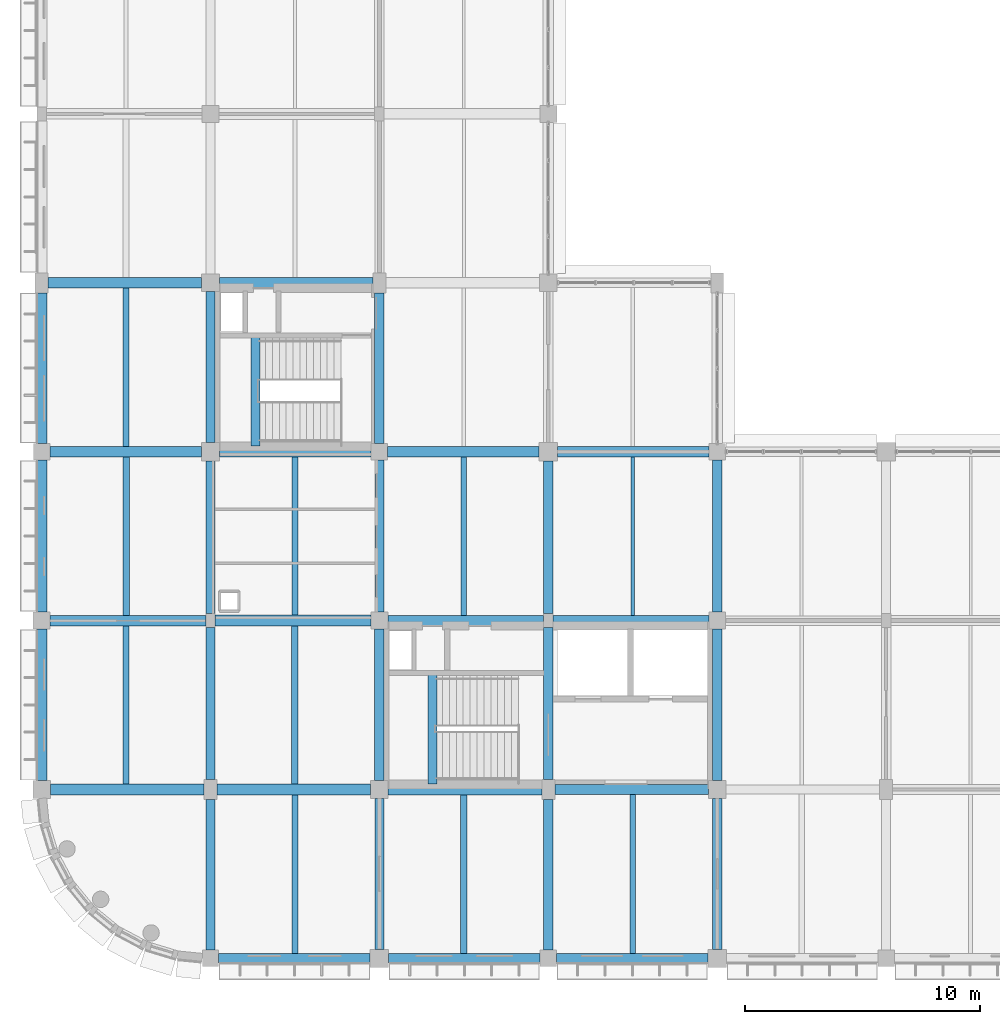
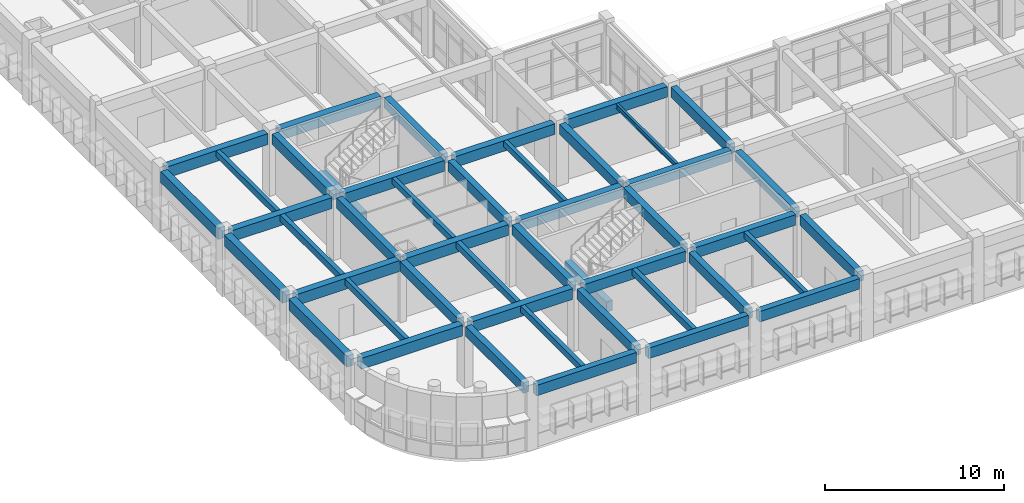
# One storey, part 11 of 171: 46 beams.
"""IFC4 building model written with IfcOpenShell, lengths in metres."""

from ifc_helpers import new_model, si_unit, direction, frame, origin, origin_2d, place, context, subcontext, project, spatial, rectangle, i_section, extrude, material, material_profile, profile_set, type_object, element, save


model = new_model("IFC4")

# Units and contexts
model_context = context("Model", 3, precision=1e-05, world=origin(), true_north=direction((0.0, 1.0)))
body_context = subcontext(model_context, "Body", "Model", "MODEL_VIEW")
ifc_project = project(units=[si_unit("LENGTHUNIT", "METRE"), si_unit("AREAUNIT", "SQUARE_METRE"), si_unit("VOLUMEUNIT", "CUBIC_METRE"), si_unit("PLANEANGLEUNIT", "RADIAN"), si_unit("MASSUNIT", "GRAM", prefix="KILO")], contexts=[model_context])

# Site, building, storey
site_placement = place(None, origin())
site = spatial("IfcSite", under=ifc_project, at=site_placement, CompositionType="ELEMENT")
building_placement = place(site_placement, origin())
building = spatial("IfcBuilding", under=site, at=building_placement, Name="Thalmaran Polytechnic", CompositionType="ELEMENT")
storey_placement = place(building_placement, frame((0.0, 0.0, 5.39990234375)))
storey = spatial("IfcBuildingStorey", under=building, at=storey_placement, Name="L01", CompositionType="ELEMENT", Elevation=5.39990234375)

# Beams
ifc_material_1 = material(Name="Concrete C40/50", Category="concrete")
ifc_material_profile_1 = material_profile(ifc_material_1, rectangle(XDim=0.449951171875, YDim=0.75, at=origin_2d()), Name="RC 450x750")
ifc_profile_set_1 = profile_set([ifc_material_profile_1], Name="Concrete C40/50")
beam_type_1 = type_object("IfcBeamType", Name="BM-RC03", PredefinedType="BEAM", material=ifc_profile_set_1)
beam_1_placement = place(storey_placement, frame((0.375, 7.199951171875, 3.835205078125), z_axis=(1.0, 0.0, 0.0), x_axis=(0.0, 1.0, 0.0)))
element("IfcBeam", 1, at=beam_1_placement, inside=storey, type_object=beam_type_1, Name="Grid Beam B03 L01 X(0,1)", PredefinedType="BEAM", context=body_context, shape_type="SweptSolid", body=[
    extrude(rectangle(XDim=0.449951171875, YDim=0.75, at=origin_2d()), origin(), (0.0, 0.0, 1.0), 6.550048828125),
])
beam_2_placement = place(storey_placement, frame((0.360107421875, 14.39990234375, 3.835205078125), z_axis=(1.0, 0.0, 0.0), x_axis=(0.0, 1.0, 0.0)))
element("IfcBeam", 2, at=beam_2_placement, inside=storey, type_object=beam_type_1, Name="Grid Beam B03 L01 X(0,2)", PredefinedType="BEAM", context=body_context, shape_type="SweptSolid", body=[
    extrude(rectangle(XDim=0.449951171875, YDim=0.75, at=origin_2d()), origin(), (0.0, 0.0, 1.0), 6.639892578125),
])
beam_3_placement = place(storey_placement, frame((0.35009765625, 21.60009765625, 3.835205078125), z_axis=(1.0, 0.0, 0.0), x_axis=(0.0, 1.0, 0.0)))
element("IfcBeam", 3, at=beam_3_placement, inside=storey, type_object=beam_type_1, Name="Grid Beam B03 L01 X(0,3)", PredefinedType="BEAM", context=body_context, shape_type="SweptSolid", body=[
    extrude(rectangle(XDim=0.449951171875, YDim=0.75, at=origin_2d()), origin(), (0.0, 0.0, 1.0), 6.4599609375),
])
beam_4_placement = place(storey_placement, frame((0.27490234375, 28.800048828125, 3.835205078125), z_axis=(1.0, 0.0, 0.0), x_axis=(0.0, 1.0, 0.0)))
element("IfcBeam", 4, at=beam_4_placement, inside=storey, type_object=beam_type_1, Name="Grid Beam B03 L01 X(0,4)", PredefinedType="BEAM", context=body_context, shape_type="SweptSolid", body=[
    extrude(rectangle(XDim=0.449951171875, YDim=0.75, at=origin_2d()), origin(), (0.0, 0.0, 1.0), 6.550048828125),
])
ifc_material_profile_2 = material_profile(ifc_material_1, rectangle(XDim=0.449951171875, YDim=0.72509765625, at=origin_2d()), Name="RC 450x725")
ifc_profile_set_2 = profile_set([ifc_material_profile_2], Name="Concrete C40/50")
beam_type_2 = type_object("IfcBeamType", Name="BM-RC04", PredefinedType="BEAM", material=ifc_profile_set_2)
beam_5_placement = place(storey_placement, frame((14.77490234375, 7.199951171875, 3.84765625), z_axis=(1.0, 0.0, 0.0), x_axis=(0.0, 1.0, 0.0)))
element("IfcBeam", 5, at=beam_5_placement, inside=storey, type_object=beam_type_2, Name="Grid Beam B04 L01 X(2,1)", PredefinedType="BEAM", context=body_context, shape_type="SweptSolid", body=[
    extrude(rectangle(XDim=0.449951171875, YDim=0.72509765625, at=origin_2d()), origin(), (0.0, 0.0, 1.0), 6.550048828125),
])
beam_6_placement = place(storey_placement, frame((14.760009765625, 14.39990234375, 3.84765625), z_axis=(1.0, 0.0, 0.0), x_axis=(0.0, 1.0, 0.0)))
element("IfcBeam", 6, at=beam_6_placement, inside=storey, type_object=beam_type_2, Name="Grid Beam B04 L01 X(2,2)", PredefinedType="BEAM", context=body_context, shape_type="SweptSolid", body=[
    extrude(rectangle(XDim=0.449951171875, YDim=0.72509765625, at=origin_2d()), origin(), (0.0, 0.0, 1.0), 6.639892578125),
])
beam_7_placement = place(storey_placement, frame((14.75, 21.60009765625, 3.84765625), z_axis=(1.0, 0.0, 0.0), x_axis=(0.0, 1.0, 0.0)))
element("IfcBeam", 7, at=beam_7_placement, inside=storey, type_object=beam_type_2, Name="Grid Beam B04 L01 X(2,3)", PredefinedType="BEAM", context=body_context, shape_type="SweptSolid", body=[
    extrude(rectangle(XDim=0.449951171875, YDim=0.72509765625, at=origin_2d()), origin(), (0.0, 0.0, 1.0), 6.4599609375),
])
ifc_material_profile_3 = material_profile(ifc_material_1, rectangle(XDim=0.389892578125, YDim=0.68505859375, at=origin_2d()), Name="RC 390x685")
ifc_profile_set_3 = profile_set([ifc_material_profile_3], Name="Concrete C40/50")
beam_type_3 = type_object("IfcBeamType", Name="BM-RC08", PredefinedType="BEAM", material=ifc_profile_set_3)
beam_8_placement = place(storey_placement, frame((7.199951171875, 0.35009765625, 3.86767578125), z_axis=(0.0, 1.0, 0.0), x_axis=(-1.0, 0.0, 0.0)))
element("IfcBeam", 8, at=beam_8_placement, inside=storey, type_object=beam_type_3, Name="Grid Beam B08 L01 Y(1,0)", PredefinedType="BEAM", context=body_context, shape_type="SweptSolid", body=[
    extrude(rectangle(XDim=0.389892578125, YDim=0.68505859375, at=origin_2d()), origin(), (0.0, 0.0, 1.0), 6.4248046875),
])
beam_9_placement = place(storey_placement, frame((14.39990234375, 0.389892578125, 3.86767578125), z_axis=(0.0, 1.0, 0.0), x_axis=(-1.0, 0.0, 0.0)))
element("IfcBeam", 9, at=beam_9_placement, inside=storey, type_object=beam_type_3, Name="Grid Beam B08 L01 Y(2,0)", PredefinedType="BEAM", context=body_context, shape_type="SweptSolid", body=[
    extrude(rectangle(XDim=0.389892578125, YDim=0.68505859375, at=origin_2d()), origin(), (0.0, 0.0, 1.0), 6.43505859375),
])
beam_10_placement = place(storey_placement, frame((21.60009765625, 0.35009765625, 3.86767578125), z_axis=(0.0, 1.0, 0.0), x_axis=(-1.0, 0.0, 0.0)))
element("IfcBeam", 10, at=beam_10_placement, inside=storey, type_object=beam_type_3, Name="Grid Beam B08 L01 Y(3,0)", PredefinedType="BEAM", context=body_context, shape_type="SweptSolid", body=[
    extrude(rectangle(XDim=0.389892578125, YDim=0.68505859375, at=origin_2d()), origin(), (0.0, 0.0, 1.0), 6.4248046875),
])
beam_11_placement = place(storey_placement, frame((28.800048828125, 0.389892578125, 3.86767578125), z_axis=(0.0, 1.0, 0.0), x_axis=(-1.0, 0.0, 0.0)))
element("IfcBeam", 11, at=beam_11_placement, inside=storey, type_object=beam_type_3, Name="Grid Beam B08 L01 Y(4,0)", PredefinedType="BEAM", context=body_context, shape_type="SweptSolid", body=[
    extrude(rectangle(XDim=0.389892578125, YDim=0.68505859375, at=origin_2d()), origin(), (0.0, 0.0, 1.0), 6.43505859375),
])
ifc_material_profile_4 = material_profile(ifc_material_1, rectangle(XDim=0.389892578125, YDim=0.68994140625, at=origin_2d()), Name="RC 390x690")
ifc_profile_set_4 = profile_set([ifc_material_profile_4], Name="Concrete C40/50")
beam_type_4 = type_object("IfcBeamType", Name="BM-RC09", PredefinedType="BEAM", material=ifc_profile_set_4)
beam_12_placement = place(storey_placement, frame((7.199951171875, 14.699951171875, 3.864990234375), z_axis=(0.0, 1.0, 0.0), x_axis=(-1.0, 0.0, 0.0)))
element("IfcBeam", 12, at=beam_12_placement, inside=storey, type_object=beam_type_4, Name="Grid Beam B09 L01 Y(1,2)", PredefinedType="BEAM", context=body_context, shape_type="SweptSolid", body=[
    extrude(rectangle(XDim=0.389892578125, YDim=0.68994140625, at=origin_2d()), origin(), (0.0, 0.0, 1.0), 6.510009765625),
])
beam_13_placement = place(storey_placement, frame((14.39990234375, 14.760009765625, 3.864990234375), z_axis=(0.0, 1.0, 0.0), x_axis=(-1.0, 0.0, 0.0)))
element("IfcBeam", 13, at=beam_13_placement, inside=storey, type_object=beam_type_4, Name="Grid Beam B09 L01 Y(2,2)", PredefinedType="BEAM", context=body_context, shape_type="SweptSolid", body=[
    extrude(rectangle(XDim=0.389892578125, YDim=0.68994140625, at=origin_2d()), origin(), (0.0, 0.0, 1.0), 6.489990234375),
])
beam_14_placement = place(storey_placement, frame((21.60009765625, 14.699951171875, 3.864990234375), z_axis=(0.0, 1.0, 0.0), x_axis=(-1.0, 0.0, 0.0)))
element("IfcBeam", 14, at=beam_14_placement, inside=storey, type_object=beam_type_4, Name="Grid Beam B09 L01 Y(3,2)", PredefinedType="BEAM", context=body_context, shape_type="SweptSolid", body=[
    extrude(rectangle(XDim=0.389892578125, YDim=0.68994140625, at=origin_2d()), origin(), (0.0, 0.0, 1.0), 6.510009765625),
])
beam_15_placement = place(storey_placement, frame((28.800048828125, 14.760009765625, 3.864990234375), z_axis=(0.0, 1.0, 0.0), x_axis=(-1.0, 0.0, 0.0)))
element("IfcBeam", 15, at=beam_15_placement, inside=storey, type_object=beam_type_4, Name="Grid Beam B09 L01 Y(4,2)", PredefinedType="BEAM", context=body_context, shape_type="SweptSolid", body=[
    extrude(rectangle(XDim=0.389892578125, YDim=0.68994140625, at=origin_2d()), origin(), (0.0, 0.0, 1.0), 6.489990234375),
])
ifc_material_profile_5 = material_profile(ifc_material_1, rectangle(XDim=0.389892578125, YDim=0.695068359375, at=origin_2d()), Name="RC 390x695")
ifc_profile_set_5 = profile_set([ifc_material_profile_5], Name="Concrete C40/50")
beam_type_5 = type_object("IfcBeamType", Name="BM-RC10", PredefinedType="BEAM", material=ifc_profile_set_5)
for number, where, z_axis, x_axis, name in (
    (16, (16.659912109375, 7.43994140625, 1.7900390625), (0.0, 1.0, 0.0), (-1.0, 0.0, 0.0), "ST1 L01 Half-Landing Trimmer Beam"),
    (17, (9.1201171875, 21.840087890625, 1.7900390625), (0.0, 1.0, 0.0), (-1.0, 0.0, 0.0), "ST3 L01 Half-Landing Trimmer Beam"),
):
    element("IfcBeam", number, at=place(storey_placement, frame(where, z_axis=z_axis, x_axis=x_axis)), inside=storey, type_object=beam_type_5, Name=name, PredefinedType="BEAM", context=body_context, shape_type="SweptSolid", body=[
        extrude(rectangle(XDim=0.389892578125, YDim=0.695068359375, at=origin_2d()), origin(), (0.0, 0.0, 1.0), 4.699951171875),
    ])
ifc_material_profile_6 = material_profile(ifc_material_1, rectangle(XDim=0.280029296875, YDim=0.449951171875, at=origin_2d()), Name="RC 280x450")
ifc_profile_set_6 = profile_set([ifc_material_profile_6], Name="Concrete C40/50")
beam_type_6 = type_object("IfcBeamType", Name="BM-RC13", PredefinedType="JOIST", material=ifc_profile_set_6)
beam_16_placement = place(storey_placement, frame((3.60009765625, 14.625, 3.985107421875), z_axis=(0.0, 1.0, 0.0), x_axis=(-1.0, 0.0, 0.0)))
element("IfcBeam", 18, at=beam_16_placement, inside=storey, type_object=beam_type_6, Name="Secondary Floor Rib RB03 L01 (0,2)", PredefinedType="JOIST", context=body_context, shape_type="SweptSolid", body=[
    extrude(rectangle(XDim=0.280029296875, YDim=0.449951171875, at=origin_2d()), origin(), (0.0, 0.0, 1.0), 6.75),
])
beam_17_placement = place(storey_placement, frame((10.800048828125, 7.429931640625, 3.985107421875), z_axis=(0.0, 1.0, 0.0), x_axis=(-1.0, 0.0, 0.0)))
element("IfcBeam", 19, at=beam_17_placement, inside=storey, type_object=beam_type_6, Name="Secondary Floor Rib RB03 L01 (1,1)", PredefinedType="JOIST", context=body_context, shape_type="SweptSolid", body=[
    extrude(rectangle(XDim=0.280029296875, YDim=0.449951171875, at=origin_2d()), origin(), (0.0, 0.0, 1.0), 6.739990234375),
])
beam_18_placement = place(storey_placement, frame((18.0, 0.199951171875, 3.985107421875), z_axis=(0.0, 1.0, 0.0), x_axis=(-1.0, 0.0, 0.0)))
element("IfcBeam", 20, at=beam_18_placement, inside=storey, type_object=beam_type_6, Name="Secondary Floor Rib RB03 L01 (2,0)", PredefinedType="JOIST", context=body_context, shape_type="SweptSolid", body=[
    extrude(rectangle(XDim=0.280029296875, YDim=0.449951171875, at=origin_2d()), origin(), (0.0, 0.0, 1.0), 6.775146484375),
])
ifc_material_2 = material(Name="Steel S355", Category="steel")
ifc_material_profile_7 = material_profile(ifc_material_2, i_section(OverallWidth=0.159912109375, OverallDepth=0.330078125, WebThickness=0.007568359375, FlangeThickness=0.011474609375, at=origin_2d()), Name="IPE 330")
ifc_profile_set_7 = profile_set([ifc_material_profile_7], Name="Steel S355")
beam_type_7 = type_object("IfcBeamType", Name="BM-SJ02", PredefinedType="JOIST", material=ifc_profile_set_7)
beam_19_placement = place(storey_placement, frame((25.199951171875, 14.6201171875, 4.045166015625), z_axis=(0.0, 1.0, 0.0), x_axis=(-1.0, 0.0, 0.0)))
element("IfcBeam", 21, at=beam_19_placement, inside=storey, type_object=beam_type_7, Name="Secondary Floor Rib SJ02 L01 (3,2)", PredefinedType="JOIST", context=body_context, shape_type="SweptSolid", body=[
    extrude(i_section(OverallWidth=0.159912109375, OverallDepth=0.330078125, WebThickness=0.007568359375, FlangeThickness=0.011474609375, at=origin_2d()), origin(), (0.0, 0.0, 1.0), 6.759765625),
])
ifc_material_profile_8 = material_profile(ifc_material_1, rectangle(XDim=0.39990234375, YDim=0.719970703125, at=origin_2d()), Name="RC 400x720")
ifc_profile_set_8 = profile_set([ifc_material_profile_8], Name="Concrete C40/50")
beam_type_8 = type_object("IfcBeamType", Name="BM-SP01", PredefinedType="SPANDREL", material=ifc_profile_set_8)
for number, where, z_axis, x_axis, name in (
    (22, (7.550048828125, 0.0, 3.85009765625), (1.0, 0.0, 0.0), (0.0, 1.0, 0.0), "Grid Beam SP01 L01 X(1,0)"),
    (23, (14.7900390625, 0.0, 3.85009765625), (1.0, 0.0, 0.0), (0.0, 1.0, 0.0), "Grid Beam SP01 L01 X(2,0)"),
    (24, (21.949951171875, 0.0, 3.85009765625), (1.0, 0.0, 0.0), (0.0, 1.0, 0.0), "Grid Beam SP01 L01 X(3,0)"),
):
    element("IfcBeam", number, at=place(storey_placement, frame(where, z_axis=z_axis, x_axis=x_axis)), inside=storey, type_object=beam_type_8, Name=name, PredefinedType="SPANDREL", context=body_context, shape_type="SweptSolid", body=[
        extrude(rectangle(XDim=0.39990234375, YDim=0.719970703125, at=origin_2d()), origin(), (0.0, 0.0, 1.0), 6.4599609375),
    ])
ifc_material_profile_9 = material_profile(ifc_material_1, rectangle(XDim=0.449951171875, YDim=0.7548828125, at=origin_2d()), Name="RC 450x755")
ifc_profile_set_9 = profile_set([ifc_material_profile_9], Name="Concrete C40/50")
beam_type_9 = type_object("IfcBeamType", Name="BM-SP02", PredefinedType="SPANDREL", material=ifc_profile_set_9)
beam_20_placement = place(storey_placement, frame((0.0, 7.574951171875, 3.83251953125), z_axis=(0.0, 1.0, 0.0), x_axis=(-1.0, 0.0, 0.0)))
element("IfcBeam", 25, at=beam_20_placement, inside=storey, type_object=beam_type_9, Name="Grid Beam SP02 L01 Y(0,1)", PredefinedType="SPANDREL", context=body_context, shape_type="SweptSolid", body=[
    extrude(rectangle(XDim=0.449951171875, YDim=0.7548828125, at=origin_2d()), origin(), (0.0, 0.0, 1.0), 6.465087890625),
])
beam_21_placement = place(storey_placement, frame((0.0, 14.760009765625, 3.83251953125), z_axis=(0.0, 1.0, 0.0), x_axis=(-1.0, 0.0, 0.0)))
element("IfcBeam", 26, at=beam_21_placement, inside=storey, type_object=beam_type_9, Name="Grid Beam SP02 L01 Y(0,2)", PredefinedType="SPANDREL", context=body_context, shape_type="SweptSolid", body=[
    extrude(rectangle(XDim=0.449951171875, YDim=0.7548828125, at=origin_2d()), origin(), (0.0, 0.0, 1.0), 6.489990234375),
])
beam_22_placement = place(storey_placement, frame((0.0, 21.949951171875, 3.83251953125), z_axis=(0.0, 1.0, 0.0), x_axis=(-1.0, 0.0, 0.0)))
element("IfcBeam", 27, at=beam_22_placement, inside=storey, type_object=beam_type_9, Name="Grid Beam SP02 L01 Y(0,3)", PredefinedType="SPANDREL", context=body_context, shape_type="SweptSolid", body=[
    extrude(rectangle(XDim=0.449951171875, YDim=0.7548828125, at=origin_2d()), origin(), (0.0, 0.0, 1.0), 6.425048828125),
])
ifc_material_profile_10 = material_profile(ifc_material_1, rectangle(XDim=0.4599609375, YDim=0.739990234375, at=origin_2d()), Name="RC 460x740")
ifc_profile_set_10 = profile_set([ifc_material_profile_10], Name="Concrete C40/50")
beam_type_10 = type_object("IfcBeamType", Name="BM-ZB02", PredefinedType="BEAM", material=ifc_profile_set_10)
beam_23_placement = place(storey_placement, frame((7.47509765625, 7.199951171875, 3.840087890625), z_axis=(1.0, 0.0, 0.0), x_axis=(0.0, 1.0, 0.0)))
element("IfcBeam", 28, at=beam_23_placement, inside=storey, type_object=beam_type_10, Name="Grid Beam ZB02 L01 X(1,1)", PredefinedType="BEAM", context=body_context, shape_type="SweptSolid", body=[
    extrude(rectangle(XDim=0.4599609375, YDim=0.739990234375, at=origin_2d()), origin(), (0.0, 0.0, 1.0), 6.5498046875),
])
beam_24_placement = place(storey_placement, frame((7.39990234375, 14.39990234375, 3.840087890625), z_axis=(1.0, 0.0, 0.0), x_axis=(0.0, 1.0, 0.0)))
element("IfcBeam", 29, at=beam_24_placement, inside=storey, type_object=beam_type_10, Name="Grid Beam ZB02 L01 X(1,2)", PredefinedType="BEAM", context=body_context, shape_type="SweptSolid", body=[
    extrude(rectangle(XDim=0.4599609375, YDim=0.739990234375, at=origin_2d()), origin(), (0.0, 0.0, 1.0), 6.64013671875),
])
beam_25_placement = place(storey_placement, frame((7.590087890625, 21.60009765625, 3.840087890625), z_axis=(1.0, 0.0, 0.0), x_axis=(0.0, 1.0, 0.0)))
element("IfcBeam", 30, at=beam_25_placement, inside=storey, type_object=beam_type_10, Name="Grid Beam ZB02 L01 X(1,3)", PredefinedType="BEAM", context=body_context, shape_type="SweptSolid", body=[
    extrude(rectangle(XDim=0.4599609375, YDim=0.739990234375, at=origin_2d()), origin(), (0.0, 0.0, 1.0), 6.4599609375),
])
beam_26_placement = place(storey_placement, frame((7.574951171875, 28.800048828125, 3.840087890625), z_axis=(1.0, 0.0, 0.0), x_axis=(0.0, 1.0, 0.0)))
element("IfcBeam", 31, at=beam_26_placement, inside=storey, type_object=beam_type_10, Name="Grid Beam ZB02 L01 X(1,4)", PredefinedType="BEAM", context=body_context, shape_type="SweptSolid", body=[
    extrude(rectangle(XDim=0.4599609375, YDim=0.739990234375, at=origin_2d()), origin(), (0.0, 0.0, 1.0), 6.550048828125),
])
ifc_material_profile_11 = material_profile(ifc_material_1, rectangle(XDim=0.43994140625, YDim=0.719970703125, at=origin_2d()), Name="RC 440x720")
ifc_profile_set_11 = profile_set([ifc_material_profile_11], Name="Concrete C40/50")
beam_type_11 = type_object("IfcBeamType", Name="BM-ZB03", PredefinedType="BEAM", material=ifc_profile_set_11)
beam_27_placement = place(storey_placement, frame((21.875, 7.199951171875, 3.85009765625), z_axis=(1.0, 0.0, 0.0), x_axis=(0.0, 1.0, 0.0)))
element("IfcBeam", 32, at=beam_27_placement, inside=storey, type_object=beam_type_11, Name="Grid Beam ZB03 L01 X(3,1)", PredefinedType="BEAM", context=body_context, shape_type="SweptSolid", body=[
    extrude(rectangle(XDim=0.43994140625, YDim=0.719970703125, at=origin_2d()), origin(), (0.0, 0.0, 1.0), 6.550048828125),
])
beam_28_placement = place(storey_placement, frame((21.800048828125, 14.39990234375, 3.85009765625), z_axis=(1.0, 0.0, 0.0), x_axis=(0.0, 1.0, 0.0)))
element("IfcBeam", 33, at=beam_28_placement, inside=storey, type_object=beam_type_11, Name="Grid Beam ZB03 L01 X(3,2)", PredefinedType="BEAM", context=body_context, shape_type="SweptSolid", body=[
    extrude(rectangle(XDim=0.43994140625, YDim=0.719970703125, at=origin_2d()), origin(), (0.0, 0.0, 1.0), 6.639892578125),
])
beam_29_placement = place(storey_placement, frame((21.989990234375, 21.60009765625, 3.85009765625), z_axis=(1.0, 0.0, 0.0), x_axis=(0.0, 1.0, 0.0)))
element("IfcBeam", 34, at=beam_29_placement, inside=storey, type_object=beam_type_11, Name="Grid Beam ZB03 L01 X(3,3)", PredefinedType="BEAM", context=body_context, shape_type="SweptSolid", body=[
    extrude(rectangle(XDim=0.43994140625, YDim=0.719970703125, at=origin_2d()), origin(), (0.0, 0.0, 1.0), 6.4599609375),
])
ifc_material_profile_12 = material_profile(ifc_material_1, rectangle(XDim=0.39990234375, YDim=0.68505859375, at=origin_2d()), Name="RC 400x685")
ifc_profile_set_12 = profile_set([ifc_material_profile_12], Name="Concrete C40/50")
beam_type_12 = type_object("IfcBeamType", Name="BM-ZB07", PredefinedType="BEAM", material=ifc_profile_set_12)
beam_30_placement = place(storey_placement, frame((7.199951171875, 7.625, 3.86767578125), z_axis=(0.0, 1.0, 0.0), x_axis=(-1.0, 0.0, 0.0)))
element("IfcBeam", 35, at=beam_30_placement, inside=storey, type_object=beam_type_12, Name="Grid Beam ZB07 L01 Y(1,1)", PredefinedType="BEAM", context=body_context, shape_type="SweptSolid", body=[
    extrude(rectangle(XDim=0.39990234375, YDim=0.68505859375, at=origin_2d()), origin(), (0.0, 0.0, 1.0), 6.47509765625),
])
beam_31_placement = place(storey_placement, frame((14.39990234375, 7.574951171875, 3.86767578125), z_axis=(0.0, 1.0, 0.0), x_axis=(-1.0, 0.0, 0.0)))
element("IfcBeam", 36, at=beam_31_placement, inside=storey, type_object=beam_type_12, Name="Grid Beam ZB07 L01 Y(2,1)", PredefinedType="BEAM", context=body_context, shape_type="SweptSolid", body=[
    extrude(rectangle(XDim=0.39990234375, YDim=0.68505859375, at=origin_2d()), origin(), (0.0, 0.0, 1.0), 6.465087890625),
])
beam_32_placement = place(storey_placement, frame((21.60009765625, 7.625, 3.86767578125), z_axis=(0.0, 1.0, 0.0), x_axis=(-1.0, 0.0, 0.0)))
element("IfcBeam", 37, at=beam_32_placement, inside=storey, type_object=beam_type_12, Name="Grid Beam ZB07 L01 Y(3,1)", PredefinedType="BEAM", context=body_context, shape_type="SweptSolid", body=[
    extrude(rectangle(XDim=0.39990234375, YDim=0.68505859375, at=origin_2d()), origin(), (0.0, 0.0, 1.0), 6.47509765625),
])
beam_33_placement = place(storey_placement, frame((28.800048828125, 7.574951171875, 3.86767578125), z_axis=(0.0, 1.0, 0.0), x_axis=(-1.0, 0.0, 0.0)))
element("IfcBeam", 38, at=beam_33_placement, inside=storey, type_object=beam_type_12, Name="Grid Beam ZB07 L01 Y(4,1)", PredefinedType="BEAM", context=body_context, shape_type="SweptSolid", body=[
    extrude(rectangle(XDim=0.39990234375, YDim=0.68505859375, at=origin_2d()), origin(), (0.0, 0.0, 1.0), 6.465087890625),
])
ifc_material_profile_13 = material_profile(ifc_material_1, rectangle(XDim=0.39990234375, YDim=0.695068359375, at=origin_2d()), Name="RC 400x695")
ifc_profile_set_13 = profile_set([ifc_material_profile_13], Name="Concrete C40/50")
beam_type_13 = type_object("IfcBeamType", Name="BM-ZB08", PredefinedType="BEAM", material=ifc_profile_set_13)
beam_34_placement = place(storey_placement, frame((7.199951171875, 21.989990234375, 3.862548828125), z_axis=(0.0, 1.0, 0.0), x_axis=(-1.0, 0.0, 0.0)))
element("IfcBeam", 39, at=beam_34_placement, inside=storey, type_object=beam_type_13, Name="Grid Beam ZB08 L01 Y(1,3)", PredefinedType="BEAM", context=body_context, shape_type="SweptSolid", body=[
    extrude(rectangle(XDim=0.39990234375, YDim=0.695068359375, at=origin_2d()), origin(), (0.0, 0.0, 1.0), 6.43505859375),
])
beam_35_placement = place(storey_placement, frame((14.39990234375, 21.949951171875, 3.862548828125), z_axis=(0.0, 1.0, 0.0), x_axis=(-1.0, 0.0, 0.0)))
element("IfcBeam", 40, at=beam_35_placement, inside=storey, type_object=beam_type_13, Name="Grid Beam ZB08 L01 Y(2,3)", PredefinedType="BEAM", context=body_context, shape_type="SweptSolid", body=[
    extrude(rectangle(XDim=0.39990234375, YDim=0.695068359375, at=origin_2d()), origin(), (0.0, 0.0, 1.0), 6.425048828125),
])
ifc_material_profile_14 = material_profile(ifc_material_1, rectangle(XDim=0.260009765625, YDim=0.43994140625, at=origin_2d()), Name="RC 260x440")
ifc_profile_set_14 = profile_set([ifc_material_profile_14], Name="Concrete C40/50")
beam_type_14 = type_object("IfcBeamType", Name="BM-ZJ02", PredefinedType="JOIST", material=ifc_profile_set_14)
beam_36_placement = place(storey_placement, frame((3.60009765625, 7.425048828125, 3.989990234375), z_axis=(0.0, 1.0, 0.0), x_axis=(-1.0, 0.0, 0.0)))
element("IfcBeam", 41, at=beam_36_placement, inside=storey, type_object=beam_type_14, Name="Secondary Floor Rib ZJ02 L01 (0,1)", PredefinedType="JOIST", context=body_context, shape_type="SweptSolid", body=[
    extrude(rectangle(XDim=0.260009765625, YDim=0.43994140625, at=origin_2d()), origin(), (0.0, 0.0, 1.0), 6.75),
])
beam_37_placement = place(storey_placement, frame((10.800048828125, 0.199951171875, 3.989990234375), z_axis=(0.0, 1.0, 0.0), x_axis=(-1.0, 0.0, 0.0)))
element("IfcBeam", 42, at=beam_37_placement, inside=storey, type_object=beam_type_14, Name="Secondary Floor Rib ZJ02 L01 (1,0)", PredefinedType="JOIST", context=body_context, shape_type="SweptSolid", body=[
    extrude(rectangle(XDim=0.260009765625, YDim=0.43994140625, at=origin_2d()), origin(), (0.0, 0.0, 1.0), 6.77001953125),
])
ifc_material_profile_15 = material_profile(ifc_material_1, rectangle(XDim=0.25, YDim=0.419921875, at=origin_2d()), Name="RC 250x420")
ifc_profile_set_15 = profile_set([ifc_material_profile_15], Name="Concrete C40/50")
beam_type_15 = type_object("IfcBeamType", Name="BM-ZJ03", PredefinedType="JOIST", material=ifc_profile_set_15)
beam_38_placement = place(storey_placement, frame((3.60009765625, 21.824951171875, 4.0), z_axis=(0.0, 1.0, 0.0), x_axis=(-1.0, 0.0, 0.0)))
element("IfcBeam", 43, at=beam_38_placement, inside=storey, type_object=beam_type_15, Name="Secondary Floor Rib ZJ03 L01 (0,3)", PredefinedType="JOIST", context=body_context, shape_type="SweptSolid", body=[
    extrude(rectangle(XDim=0.25, YDim=0.419921875, at=origin_2d()), origin(), (0.0, 0.0, 1.0), 6.75),
])
beam_39_placement = place(storey_placement, frame((10.800048828125, 14.6298828125, 4.0), z_axis=(0.0, 1.0, 0.0), x_axis=(-1.0, 0.0, 0.0)))
element("IfcBeam", 44, at=beam_39_placement, inside=storey, type_object=beam_type_15, Name="Secondary Floor Rib ZJ03 L01 (1,2)", PredefinedType="JOIST", context=body_context, shape_type="SweptSolid", body=[
    extrude(rectangle(XDim=0.25, YDim=0.419921875, at=origin_2d()), origin(), (0.0, 0.0, 1.0), 6.740234375),
])
beam_40_placement = place(storey_placement, frame((25.199951171875, 0.199951171875, 4.0), z_axis=(0.0, 1.0, 0.0), x_axis=(-1.0, 0.0, 0.0)))
element("IfcBeam", 45, at=beam_40_placement, inside=storey, type_object=beam_type_15, Name="Secondary Floor Rib ZJ03 L01 (3,0)", PredefinedType="JOIST", context=body_context, shape_type="SweptSolid", body=[
    extrude(rectangle(XDim=0.25, YDim=0.419921875, at=origin_2d()), origin(), (0.0, 0.0, 1.0), 6.780029296875),
])
ifc_material_profile_16 = material_profile(ifc_material_1, rectangle(XDim=0.239990234375, YDim=0.39990234375, at=origin_2d()), Name="RC 240x400")
ifc_profile_set_16 = profile_set([ifc_material_profile_16], Name="Concrete C40/50")
beam_type_16 = type_object("IfcBeamType", Name="BM-ZJ04", PredefinedType="JOIST", material=ifc_profile_set_16)
beam_41_placement = place(storey_placement, frame((18.0, 14.625, 4.010009765625), z_axis=(0.0, 1.0, 0.0), x_axis=(-1.0, 0.0, 0.0)))
element("IfcBeam", 46, at=beam_41_placement, inside=storey, type_object=beam_type_16, Name="Secondary Floor Rib ZJ04 L01 (2,2)", PredefinedType="JOIST", context=body_context, shape_type="SweptSolid", body=[
    extrude(rectangle(XDim=0.239990234375, YDim=0.39990234375, at=origin_2d()), origin(), (0.0, 0.0, 1.0), 6.75),
])

save(model, "model.ifc")
